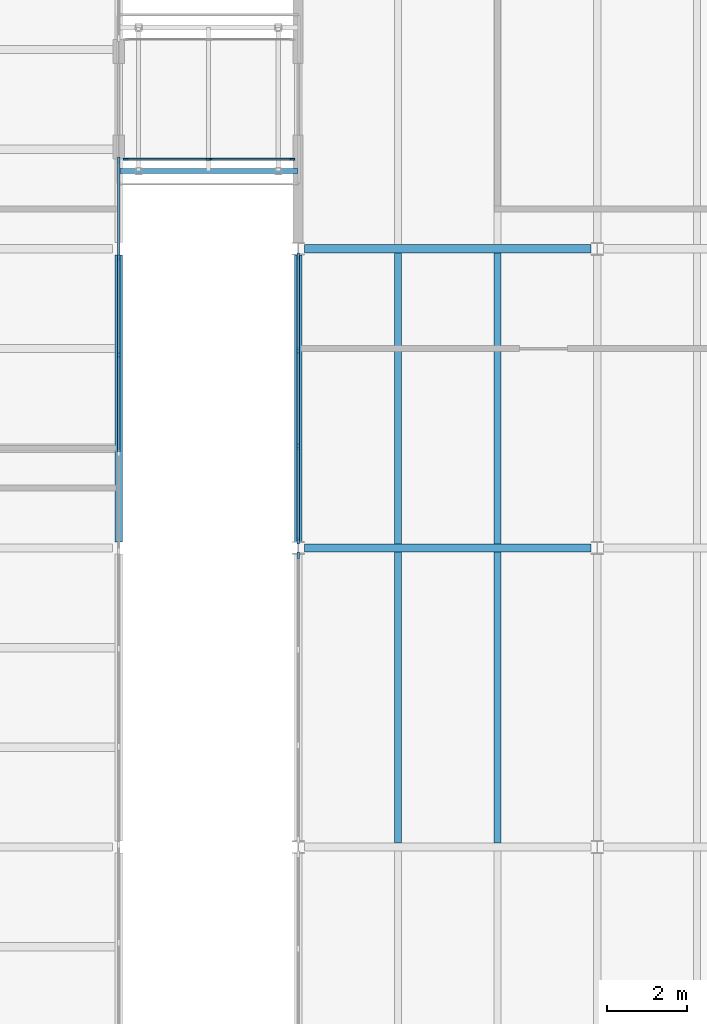
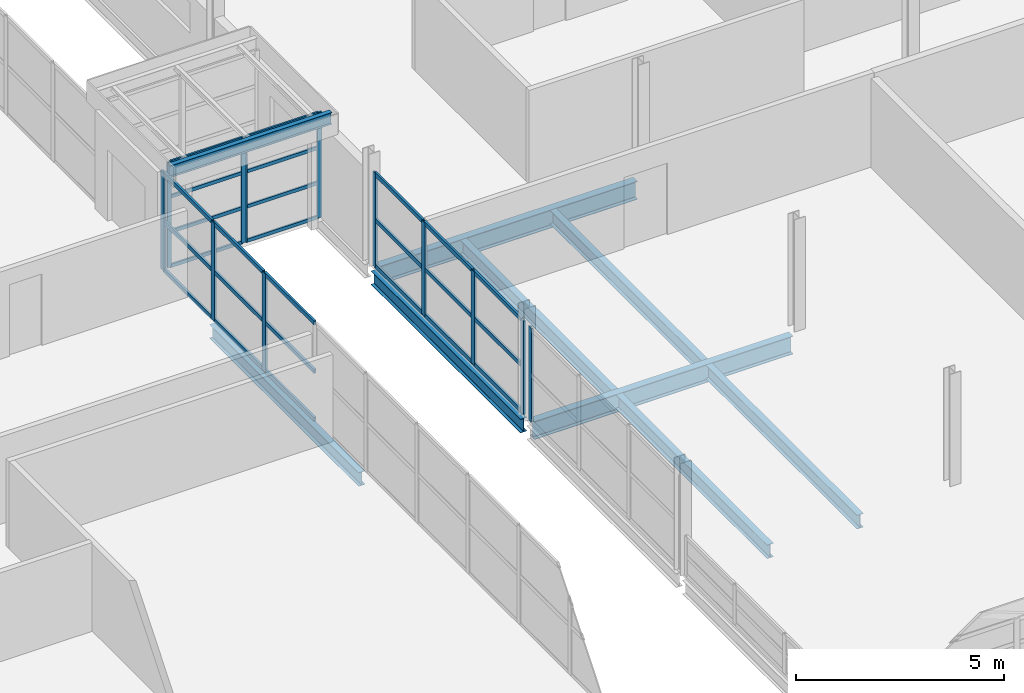
# One storey, part 39 of 214: 38 members, 9 beams, 5 elements without a shape of their own.
"""IFC4 building model written with IfcOpenShell, lengths in metres."""

from ifc_helpers import new_model, si_unit, direction, frame, origin, origin_2d, place, context, subcontext, project, spatial, rectangle, i_section, extrude, material, material_profile, profile_set, type_object, element, aggregate, save


model = new_model("IFC4")

# Units and contexts
model_context = context("Model", 3, precision=1e-05, world=origin(), true_north=direction((0.0, 1.0)))
body_context = subcontext(model_context, "Body", "Model", "MODEL_VIEW")
ifc_project = project(units=[si_unit("LENGTHUNIT", "METRE"), si_unit("AREAUNIT", "SQUARE_METRE"), si_unit("VOLUMEUNIT", "CUBIC_METRE"), si_unit("PLANEANGLEUNIT", "RADIAN"), si_unit("MASSUNIT", "GRAM", prefix="KILO")], contexts=[model_context])

# Site, building, storey
site_placement = place(None, origin())
site = spatial("IfcSite", under=ifc_project, at=site_placement, CompositionType="ELEMENT")
building_placement = place(site_placement, origin())
building = spatial("IfcBuilding", under=site, at=building_placement, Name="Parallax Yard Mobility Hub", CompositionType="ELEMENT")
storey_placement = place(building_placement, frame((0.0, 0.0, 3.300048828125)))
storey = spatial("IfcBuildingStorey", under=building, at=storey_placement, Name="L01", CompositionType="ELEMENT", Elevation=3.300048828125)

# Beam
ifc_material_1 = material(Name="Steel ASTM A992", Category="steel")
ifc_material_profile_1 = material_profile(ifc_material_1, i_section(OverallWidth=0.126953125, OverallDepth=0.34912109375, WebThickness=0.005859375, FlangeThickness=0.008544921875, at=origin_2d()), Name="W360x33")
ifc_profile_set_1 = profile_set([ifc_material_profile_1], Name="Steel ASTM A992")
beam_type_1 = type_object("IfcBeamType", Name="Bridge roof beam W360x33", PredefinedType="BEAM", material=ifc_profile_set_1)
beam_1_placement = place(storey_placement, frame((93.0, 31.949951171875, 3.074462890625), z_axis=(1.0, 0.0, 0.0), x_axis=(0.0, 1.0, 0.0)))
element("IfcBeam", 1, at=beam_1_placement, inside=storey, type_object=beam_type_1, Name="Bridge BR1 level L01 roof beam at y 31.95", PredefinedType="BEAM", context=body_context, shape_type="SweptSolid", body=[
    extrude(i_section(OverallWidth=0.126953125, OverallDepth=0.34912109375, WebThickness=0.005859375, FlangeThickness=0.008544921875, at=origin_2d()), origin(), (0.0, 0.0, 1.0), 4.5),
])

# Curtain wall, members
ifc_material_2 = material(Name="Thermally broken aluminium curtain wall system", Category="aluminium")
curtain_wall_type_1 = type_object("IfcCurtainWallType", Name="Bridge curtain wall run 50 x 120 frame", PredefinedType="NOTDEFINED", material=ifc_material_2)
curtain_wall_1_placement = place(storey_placement, origin())
curtain_wall_1 = element("IfcCurtainWall", 2, at=curtain_wall_1_placement, inside=storey, type_object=curtain_wall_type_1, Name="Curtain wall run bridge BR1 south side level L01", PredefinedType="NOTDEFINED")
ifc_material_3 = material(Name="Extruded aluminium", Category="aluminium")
ifc_material_profile_2 = material_profile(ifc_material_3, rectangle(XDim=0.050048828125, YDim=0.1201171875, at=origin_2d()), Name="Mullion 50 x 120")
ifc_profile_set_2 = profile_set([ifc_material_profile_2], Name="Extruded aluminium")
member_type_1 = type_object("IfcMemberType", Name="Mullion 50 x 120", PredefinedType="MULLION", material=ifc_profile_set_2)
member_1_placement = place(storey_placement, frame((93.175048828125, 32.25, 0.0), z_axis=(0.0, 0.0, 1.0), x_axis=(0.0, 1.0, 0.0)))
member_1 = element("IfcMember", 3, at=member_1_placement, type_object=member_type_1, Name="CW2 mullion 1", PredefinedType="MULLION", context=body_context, shape_type="SweptSolid", body=[
    extrude(rectangle(XDim=0.050048828125, YDim=0.1201171875, at=origin_2d()), origin(), (0.0, 0.0, 1.0), 3.095947265625),
])
member_2_placement = place(storey_placement, frame((95.237548828125, 32.25, 0.0), z_axis=(0.0, 0.0, 1.0), x_axis=(0.0, 1.0, 0.0)))
member_2 = element("IfcMember", 4, at=member_2_placement, type_object=member_type_1, Name="CW2 mullion 2", PredefinedType="MULLION", context=body_context, shape_type="SweptSolid", body=[
    extrude(rectangle(XDim=0.050048828125, YDim=0.1201171875, at=origin_2d()), origin(), (0.0, 0.0, 1.0), 3.095947265625),
])

curtain_wall_2_placement = place(storey_placement, origin())
curtain_wall_2 = element("IfcCurtainWall", 5, at=curtain_wall_2_placement, inside=storey, type_object=curtain_wall_type_1, Name="Curtain wall run bridge BR1 south side level L01", PredefinedType="NOTDEFINED")
member_3_placement = place(storey_placement, frame((95.28759765625, 32.25, 0.0), z_axis=(0.0, 0.0, 1.0), x_axis=(0.0, 1.0, 0.0)))
member_3 = element("IfcMember", 6, at=member_3_placement, type_object=member_type_1, Name="CW2 mullion 1", PredefinedType="MULLION", context=body_context, shape_type="SweptSolid", body=[
    extrude(rectangle(XDim=0.050048828125, YDim=0.1201171875, at=origin_2d()), origin(), (0.0, 0.0, 1.0), 3.095947265625),
])
member_4_placement = place(storey_placement, frame((97.35009765625, 32.25, 0.0), z_axis=(0.0, 0.0, 1.0), x_axis=(0.0, 1.0, 0.0)))
member_4 = element("IfcMember", 7, at=member_4_placement, type_object=member_type_1, Name="CW2 mullion 2", PredefinedType="MULLION", context=body_context, shape_type="SweptSolid", body=[
    extrude(rectangle(XDim=0.050048828125, YDim=0.1201171875, at=origin_2d()), origin(), (0.0, 0.0, 1.0), 3.095947265625),
])

curtain_wall_type_2 = type_object("IfcCurtainWallType", Name="Curtain wall run 60 x 160 frame", PredefinedType="NOTDEFINED", material=ifc_material_2)
curtain_wall_3_placement = place(storey_placement, origin())
curtain_wall_3 = element("IfcCurtainWall", 8, at=curtain_wall_3_placement, inside=storey, type_object=curtain_wall_type_2, Name="Curtain wall run Bus and taxi deck east end bay 1 level L01", PredefinedType="NOTDEFINED")
ifc_material_profile_3 = material_profile(ifc_material_3, rectangle(XDim=0.06005859375, YDim=0.159912109375, at=origin_2d()), Name="Mullion 60 x 160")
ifc_profile_set_3 = profile_set([ifc_material_profile_3], Name="Extruded aluminium")
member_type_2 = type_object("IfcMemberType", Name="Mullion 60 x 160", PredefinedType="MULLION", material=ifc_profile_set_3)
member_5_placement = place(storey_placement, frame((93.0, 27.33740234375, 0.0), z_axis=(0.0, 0.0, 1.0), x_axis=(-1.0, 0.0, 0.0)))
member_5 = element("IfcMember", 9, at=member_5_placement, type_object=member_type_2, Name="CW1 mullion 9", PredefinedType="MULLION", context=body_context, shape_type="SweptSolid", body=[
    extrude(rectangle(XDim=0.06005859375, YDim=0.159912109375, at=origin_2d()), origin(), (0.0, 0.0, 1.0), 2.89404296875),
])
member_6_placement = place(storey_placement, frame((93.0, 29.793701171875, 0.0), z_axis=(0.0, 0.0, 1.0), x_axis=(-1.0, 0.0, 0.0)))
member_6 = element("IfcMember", 10, at=member_6_placement, type_object=member_type_2, Name="CW1 mullion 10", PredefinedType="MULLION", context=body_context, shape_type="SweptSolid", body=[
    extrude(rectangle(XDim=0.06005859375, YDim=0.159912109375, at=origin_2d()), origin(), (0.0, 0.0, 1.0), 2.89404296875),
])
member_7_placement = place(storey_placement, frame((93.0, 32.219970703125, 0.0), z_axis=(0.0, 0.0, 1.0), x_axis=(-1.0, 0.0, 0.0)))
member_7 = element("IfcMember", 11, at=member_7_placement, type_object=member_type_2, Name="CW1 mullion 11", PredefinedType="MULLION", context=body_context, shape_type="SweptSolid", body=[
    extrude(rectangle(XDim=0.06005859375, YDim=0.159912109375, at=origin_2d()), origin(), (0.0, 0.0, 1.0), 2.89404296875),
])

# Curtain wall, member
curtain_wall_4_placement = place(storey_placement, origin())
curtain_wall_4 = element("IfcCurtainWall", 12, at=curtain_wall_4_placement, inside=storey, type_object=curtain_wall_type_2, Name="Curtain wall run Mobility service centre and workshops west bay 2 level L01", PredefinedType="NOTDEFINED")
member_8_placement = place(storey_placement, frame((97.5, 22.31640625, 0.0), z_axis=(0.0, 0.0, 1.0), x_axis=(-1.0, 0.0, 0.0)))
member_8 = element("IfcMember", 13, at=member_8_placement, type_object=member_type_2, Name="CW1 mullion 4", PredefinedType="MULLION", context=body_context, shape_type="SweptSolid", body=[
    extrude(rectangle(XDim=0.06005859375, YDim=0.159912109375, at=origin_2d()), origin(), (0.0, 0.0, 1.0), 2.7509765625),
])
aggregate(curtain_wall_4, [member_8])

# Curtain wall, members
curtain_wall_5_placement = place(storey_placement, origin())
curtain_wall_5 = element("IfcCurtainWall", 14, at=curtain_wall_5_placement, inside=storey, type_object=curtain_wall_type_2, Name="Curtain wall run Mobility service centre and workshops west bay 3 level L01", PredefinedType="NOTDEFINED")
member_9_placement = place(storey_placement, frame((97.5, 22.68359375, 0.0), z_axis=(0.0, 0.0, 1.0), x_axis=(-1.0, 0.0, 0.0)))
member_9 = element("IfcMember", 15, at=member_9_placement, type_object=member_type_2, Name="CW1 mullion 1", PredefinedType="MULLION", context=body_context, shape_type="SweptSolid", body=[
    extrude(rectangle(XDim=0.06005859375, YDim=0.159912109375, at=origin_2d()), origin(), (0.0, 0.0, 1.0), 2.7509765625),
])
member_10_placement = place(storey_placement, frame((97.5, 25.05126953125, 0.0), z_axis=(0.0, 0.0, 1.0), x_axis=(-1.0, 0.0, 0.0)))
member_10 = element("IfcMember", 16, at=member_10_placement, type_object=member_type_2, Name="CW1 mullion 2", PredefinedType="MULLION", context=body_context, shape_type="SweptSolid", body=[
    extrude(rectangle(XDim=0.06005859375, YDim=0.159912109375, at=origin_2d()), origin(), (0.0, 0.0, 1.0), 2.7509765625),
])
member_11_placement = place(storey_placement, frame((97.5, 27.44873046875, 0.0), z_axis=(0.0, 0.0, 1.0), x_axis=(-1.0, 0.0, 0.0)))
member_11 = element("IfcMember", 17, at=member_11_placement, type_object=member_type_2, Name="CW1 mullion 3", PredefinedType="MULLION", context=body_context, shape_type="SweptSolid", body=[
    extrude(rectangle(XDim=0.06005859375, YDim=0.159912109375, at=origin_2d()), origin(), (0.0, 0.0, 1.0), 2.7509765625),
])
member_12_placement = place(storey_placement, frame((97.5, 29.81640625, 0.0), z_axis=(0.0, 0.0, 1.0), x_axis=(-1.0, 0.0, 0.0)))
member_12 = element("IfcMember", 18, at=member_12_placement, type_object=member_type_2, Name="CW1 mullion 4", PredefinedType="MULLION", context=body_context, shape_type="SweptSolid", body=[
    extrude(rectangle(XDim=0.06005859375, YDim=0.159912109375, at=origin_2d()), origin(), (0.0, 0.0, 1.0), 2.7509765625),
])

# Member
ifc_material_profile_4 = material_profile(ifc_material_3, rectangle(XDim=0.050048828125, YDim=0.10009765625, at=origin_2d()), Name="Transom 50 x 100")
ifc_profile_set_4 = profile_set([ifc_material_profile_4], Name="Extruded aluminium")
member_type_3 = type_object("IfcMemberType", Name="Transom 50 x 100", PredefinedType="USERDEFINED", material=ifc_profile_set_4)
member_13_placement = place(storey_placement, frame((93.199951171875, 32.25, 0.02490234375), z_axis=(1.0, 0.0, 0.0), x_axis=(0.0, 1.0, 0.0)))
member_13 = element("IfcMember", 19, at=member_13_placement, type_object=member_type_3, Name="CW2 transom 1.1", ObjectType="TRANSOM", PredefinedType="USERDEFINED", context=body_context, shape_type="SweptSolid", body=[
    extrude(rectangle(XDim=0.050048828125, YDim=0.10009765625, at=origin_2d()), origin(), (0.0, 0.0, 1.0), 2.012451171875),
])

member_14_placement = place(storey_placement, frame((93.199951171875, 32.25, 1.031982421875), z_axis=(1.0, 0.0, 0.0), x_axis=(0.0, 1.0, 0.0)))
member_14 = element("IfcMember", 20, at=member_14_placement, type_object=member_type_3, Name="CW2 transom 1.2", ObjectType="TRANSOM", PredefinedType="USERDEFINED", context=body_context, shape_type="SweptSolid", body=[
    extrude(rectangle(XDim=0.050048828125, YDim=0.10009765625, at=origin_2d()), origin(), (0.0, 0.0, 1.0), 2.012451171875),
])

member_15_placement = place(storey_placement, frame((93.199951171875, 32.25, 2.06396484375), z_axis=(1.0, 0.0, 0.0), x_axis=(0.0, 1.0, 0.0)))
member_15 = element("IfcMember", 21, at=member_15_placement, type_object=member_type_3, Name="CW2 transom 1.3", ObjectType="TRANSOM", PredefinedType="USERDEFINED", context=body_context, shape_type="SweptSolid", body=[
    extrude(rectangle(XDim=0.050048828125, YDim=0.10009765625, at=origin_2d()), origin(), (0.0, 0.0, 1.0), 2.012451171875),
])

member_16_placement = place(storey_placement, frame((93.199951171875, 32.25, 3.071044921875), z_axis=(1.0, 0.0, 0.0), x_axis=(0.0, 1.0, 0.0)))
member_16 = element("IfcMember", 22, at=member_16_placement, type_object=member_type_3, Name="CW2 transom 1.4", ObjectType="TRANSOM", PredefinedType="USERDEFINED", context=body_context, shape_type="SweptSolid", body=[
    extrude(rectangle(XDim=0.050048828125, YDim=0.10009765625, at=origin_2d()), origin(), (0.0, 0.0, 1.0), 2.012451171875),
])

aggregate(curtain_wall_1, [member_1, member_2, member_13, member_14, member_15, member_16])

member_17_placement = place(storey_placement, frame((95.3125, 32.25, 0.02490234375), z_axis=(1.0, 0.0, 0.0), x_axis=(0.0, 1.0, 0.0)))
member_17 = element("IfcMember", 23, at=member_17_placement, type_object=member_type_3, Name="CW2 transom 1.1", ObjectType="TRANSOM", PredefinedType="USERDEFINED", context=body_context, shape_type="SweptSolid", body=[
    extrude(rectangle(XDim=0.050048828125, YDim=0.10009765625, at=origin_2d()), origin(), (0.0, 0.0, 1.0), 2.012451171875),
])

member_18_placement = place(storey_placement, frame((95.3125, 32.25, 1.031982421875), z_axis=(1.0, 0.0, 0.0), x_axis=(0.0, 1.0, 0.0)))
member_18 = element("IfcMember", 24, at=member_18_placement, type_object=member_type_3, Name="CW2 transom 1.2", ObjectType="TRANSOM", PredefinedType="USERDEFINED", context=body_context, shape_type="SweptSolid", body=[
    extrude(rectangle(XDim=0.050048828125, YDim=0.10009765625, at=origin_2d()), origin(), (0.0, 0.0, 1.0), 2.012451171875),
])

member_19_placement = place(storey_placement, frame((95.3125, 32.25, 2.06396484375), z_axis=(1.0, 0.0, 0.0), x_axis=(0.0, 1.0, 0.0)))
member_19 = element("IfcMember", 25, at=member_19_placement, type_object=member_type_3, Name="CW2 transom 1.3", ObjectType="TRANSOM", PredefinedType="USERDEFINED", context=body_context, shape_type="SweptSolid", body=[
    extrude(rectangle(XDim=0.050048828125, YDim=0.10009765625, at=origin_2d()), origin(), (0.0, 0.0, 1.0), 2.012451171875),
])

member_20_placement = place(storey_placement, frame((95.3125, 32.25, 3.071044921875), z_axis=(1.0, 0.0, 0.0), x_axis=(0.0, 1.0, 0.0)))
member_20 = element("IfcMember", 26, at=member_20_placement, type_object=member_type_3, Name="CW2 transom 1.4", ObjectType="TRANSOM", PredefinedType="USERDEFINED", context=body_context, shape_type="SweptSolid", body=[
    extrude(rectangle(XDim=0.050048828125, YDim=0.10009765625, at=origin_2d()), origin(), (0.0, 0.0, 1.0), 2.012451171875),
])

aggregate(curtain_wall_2, [member_3, member_4, member_17, member_18, member_19, member_20])

ifc_material_profile_5 = material_profile(ifc_material_3, rectangle(XDim=0.06005859375, YDim=0.1201171875, at=origin_2d()), Name="Transom 60 x 120")
ifc_profile_set_5 = profile_set([ifc_material_profile_5], Name="Extruded aluminium")
member_type_4 = type_object("IfcMemberType", Name="Transom 60 x 120", PredefinedType="USERDEFINED", material=ifc_profile_set_5)
member_21_placement = place(storey_placement, frame((93.0, 24.910888671875, 0.030029296875), z_axis=(0.0, 1.0, 0.0), x_axis=(-1.0, 0.0, 0.0)))
member_21 = element("IfcMember", 27, at=member_21_placement, type_object=member_type_4, Name="CW1 transom 8.1", ObjectType="TRANSOM", PredefinedType="USERDEFINED", context=body_context, shape_type="SweptSolid", body=[
    extrude(rectangle(XDim=0.06005859375, YDim=0.1201171875, at=origin_2d()), origin(), (0.0, 0.0, 1.0), 2.396484375),
])

member_22_placement = place(storey_placement, frame((93.0, 24.910888671875, 1.447021484375), z_axis=(0.0, 1.0, 0.0), x_axis=(-1.0, 0.0, 0.0)))
member_22 = element("IfcMember", 28, at=member_22_placement, type_object=member_type_4, Name="CW1 transom 8.2", ObjectType="TRANSOM", PredefinedType="USERDEFINED", context=body_context, shape_type="SweptSolid", body=[
    extrude(rectangle(XDim=0.06005859375, YDim=0.1201171875, at=origin_2d()), origin(), (0.0, 0.0, 1.0), 2.396484375),
])

member_23_placement = place(storey_placement, frame((93.0, 24.910888671875, 2.864013671875), z_axis=(0.0, 1.0, 0.0), x_axis=(-1.0, 0.0, 0.0)))
member_23 = element("IfcMember", 29, at=member_23_placement, type_object=member_type_4, Name="CW1 transom 8.3", ObjectType="TRANSOM", PredefinedType="USERDEFINED", context=body_context, shape_type="SweptSolid", body=[
    extrude(rectangle(XDim=0.06005859375, YDim=0.1201171875, at=origin_2d()), origin(), (0.0, 0.0, 1.0), 2.396484375),
])

member_24_placement = place(storey_placement, frame((93.0, 27.3671875, 0.030029296875), z_axis=(0.0, 1.0, 0.0), x_axis=(-1.0, 0.0, 0.0)))
member_24 = element("IfcMember", 30, at=member_24_placement, type_object=member_type_4, Name="CW1 transom 9.1", ObjectType="TRANSOM", PredefinedType="USERDEFINED", context=body_context, shape_type="SweptSolid", body=[
    extrude(rectangle(XDim=0.06005859375, YDim=0.1201171875, at=origin_2d()), origin(), (0.0, 0.0, 1.0), 2.396484375),
])

member_25_placement = place(storey_placement, frame((93.0, 27.3671875, 1.447021484375), z_axis=(0.0, 1.0, 0.0), x_axis=(-1.0, 0.0, 0.0)))
member_25 = element("IfcMember", 31, at=member_25_placement, type_object=member_type_4, Name="CW1 transom 9.2", ObjectType="TRANSOM", PredefinedType="USERDEFINED", context=body_context, shape_type="SweptSolid", body=[
    extrude(rectangle(XDim=0.06005859375, YDim=0.1201171875, at=origin_2d()), origin(), (0.0, 0.0, 1.0), 2.396484375),
])

member_26_placement = place(storey_placement, frame((93.0, 27.3671875, 2.864013671875), z_axis=(0.0, 1.0, 0.0), x_axis=(-1.0, 0.0, 0.0)))
member_26 = element("IfcMember", 32, at=member_26_placement, type_object=member_type_4, Name="CW1 transom 9.3", ObjectType="TRANSOM", PredefinedType="USERDEFINED", context=body_context, shape_type="SweptSolid", body=[
    extrude(rectangle(XDim=0.06005859375, YDim=0.1201171875, at=origin_2d()), origin(), (0.0, 0.0, 1.0), 2.396484375),
])

member_27_placement = place(storey_placement, frame((93.0, 29.82373046875, 0.030029296875), z_axis=(0.0, 1.0, 0.0), x_axis=(-1.0, 0.0, 0.0)))
member_27 = element("IfcMember", 33, at=member_27_placement, type_object=member_type_4, Name="CW1 transom 10.1", ObjectType="TRANSOM", PredefinedType="USERDEFINED", context=body_context, shape_type="SweptSolid", body=[
    extrude(rectangle(XDim=0.06005859375, YDim=0.1201171875, at=origin_2d()), origin(), (0.0, 0.0, 1.0), 2.3662109375),
])

member_28_placement = place(storey_placement, frame((93.0, 29.82373046875, 1.447021484375), z_axis=(0.0, 1.0, 0.0), x_axis=(-1.0, 0.0, 0.0)))
member_28 = element("IfcMember", 34, at=member_28_placement, type_object=member_type_4, Name="CW1 transom 10.2", ObjectType="TRANSOM", PredefinedType="USERDEFINED", context=body_context, shape_type="SweptSolid", body=[
    extrude(rectangle(XDim=0.06005859375, YDim=0.1201171875, at=origin_2d()), origin(), (0.0, 0.0, 1.0), 2.3662109375),
])

member_29_placement = place(storey_placement, frame((93.0, 29.82373046875, 2.864013671875), z_axis=(0.0, 1.0, 0.0), x_axis=(-1.0, 0.0, 0.0)))
member_29 = element("IfcMember", 35, at=member_29_placement, type_object=member_type_4, Name="CW1 transom 10.3", ObjectType="TRANSOM", PredefinedType="USERDEFINED", context=body_context, shape_type="SweptSolid", body=[
    extrude(rectangle(XDim=0.06005859375, YDim=0.1201171875, at=origin_2d()), origin(), (0.0, 0.0, 1.0), 2.3662109375),
])

aggregate(curtain_wall_3, [member_5, member_6, member_7, member_21, member_22, member_23, member_24, member_25, member_26, member_27, member_28, member_29])

member_30_placement = place(storey_placement, frame((97.5, 22.71337890625, 0.030029296875), z_axis=(0.0, 1.0, 0.0), x_axis=(-1.0, 0.0, 0.0)))
member_30 = element("IfcMember", 36, at=member_30_placement, type_object=member_type_4, Name="CW1 transom 1.1", ObjectType="TRANSOM", PredefinedType="USERDEFINED", context=body_context, shape_type="SweptSolid", body=[
    extrude(rectangle(XDim=0.06005859375, YDim=0.1201171875, at=origin_2d()), origin(), (0.0, 0.0, 1.0), 2.307861328125),
])

member_31_placement = place(storey_placement, frame((97.5, 22.71337890625, 1.37548828125), z_axis=(0.0, 1.0, 0.0), x_axis=(-1.0, 0.0, 0.0)))
member_31 = element("IfcMember", 37, at=member_31_placement, type_object=member_type_4, Name="CW1 transom 1.2", ObjectType="TRANSOM", PredefinedType="USERDEFINED", context=body_context, shape_type="SweptSolid", body=[
    extrude(rectangle(XDim=0.06005859375, YDim=0.1201171875, at=origin_2d()), origin(), (0.0, 0.0, 1.0), 2.307861328125),
])

member_32_placement = place(storey_placement, frame((97.5, 22.71337890625, 2.720947265625), z_axis=(0.0, 1.0, 0.0), x_axis=(-1.0, 0.0, 0.0)))
member_32 = element("IfcMember", 38, at=member_32_placement, type_object=member_type_4, Name="CW1 transom 1.3", ObjectType="TRANSOM", PredefinedType="USERDEFINED", context=body_context, shape_type="SweptSolid", body=[
    extrude(rectangle(XDim=0.06005859375, YDim=0.1201171875, at=origin_2d()), origin(), (0.0, 0.0, 1.0), 2.307861328125),
])

member_33_placement = place(storey_placement, frame((97.5, 25.0810546875, 0.030029296875), z_axis=(0.0, 1.0, 0.0), x_axis=(-1.0, 0.0, 0.0)))
member_33 = element("IfcMember", 39, at=member_33_placement, type_object=member_type_4, Name="CW1 transom 2.1", ObjectType="TRANSOM", PredefinedType="USERDEFINED", context=body_context, shape_type="SweptSolid", body=[
    extrude(rectangle(XDim=0.06005859375, YDim=0.1201171875, at=origin_2d()), origin(), (0.0, 0.0, 1.0), 2.337890625),
])

member_34_placement = place(storey_placement, frame((97.5, 25.0810546875, 1.37548828125), z_axis=(0.0, 1.0, 0.0), x_axis=(-1.0, 0.0, 0.0)))
member_34 = element("IfcMember", 40, at=member_34_placement, type_object=member_type_4, Name="CW1 transom 2.2", ObjectType="TRANSOM", PredefinedType="USERDEFINED", context=body_context, shape_type="SweptSolid", body=[
    extrude(rectangle(XDim=0.06005859375, YDim=0.1201171875, at=origin_2d()), origin(), (0.0, 0.0, 1.0), 2.337890625),
])

member_35_placement = place(storey_placement, frame((97.5, 25.0810546875, 2.720947265625), z_axis=(0.0, 1.0, 0.0), x_axis=(-1.0, 0.0, 0.0)))
member_35 = element("IfcMember", 41, at=member_35_placement, type_object=member_type_4, Name="CW1 transom 2.3", ObjectType="TRANSOM", PredefinedType="USERDEFINED", context=body_context, shape_type="SweptSolid", body=[
    extrude(rectangle(XDim=0.06005859375, YDim=0.1201171875, at=origin_2d()), origin(), (0.0, 0.0, 1.0), 2.337890625),
])

member_36_placement = place(storey_placement, frame((97.5, 27.478759765625, 0.030029296875), z_axis=(0.0, 1.0, 0.0), x_axis=(-1.0, 0.0, 0.0)))
member_36 = element("IfcMember", 42, at=member_36_placement, type_object=member_type_4, Name="CW1 transom 3.1", ObjectType="TRANSOM", PredefinedType="USERDEFINED", context=body_context, shape_type="SweptSolid", body=[
    extrude(rectangle(XDim=0.06005859375, YDim=0.1201171875, at=origin_2d()), origin(), (0.0, 0.0, 1.0), 2.307861328125),
])

member_37_placement = place(storey_placement, frame((97.5, 27.478759765625, 1.37548828125), z_axis=(0.0, 1.0, 0.0), x_axis=(-1.0, 0.0, 0.0)))
member_37 = element("IfcMember", 43, at=member_37_placement, type_object=member_type_4, Name="CW1 transom 3.2", ObjectType="TRANSOM", PredefinedType="USERDEFINED", context=body_context, shape_type="SweptSolid", body=[
    extrude(rectangle(XDim=0.06005859375, YDim=0.1201171875, at=origin_2d()), origin(), (0.0, 0.0, 1.0), 2.307861328125),
])

member_38_placement = place(storey_placement, frame((97.5, 27.478759765625, 2.720947265625), z_axis=(0.0, 1.0, 0.0), x_axis=(-1.0, 0.0, 0.0)))
member_38 = element("IfcMember", 44, at=member_38_placement, type_object=member_type_4, Name="CW1 transom 3.3", ObjectType="TRANSOM", PredefinedType="USERDEFINED", context=body_context, shape_type="SweptSolid", body=[
    extrude(rectangle(XDim=0.06005859375, YDim=0.1201171875, at=origin_2d()), origin(), (0.0, 0.0, 1.0), 2.307861328125),
])

aggregate(curtain_wall_5, [member_9, member_10, member_11, member_12, member_30, member_31, member_32, member_33, member_34, member_35, member_36, member_37, member_38])

# Beams
ifc_material_profile_6 = material_profile(ifc_material_1, i_section(OverallWidth=0.177978515625, OverallDepth=0.406005859375, WebThickness=0.0078125, FlangeThickness=0.0126953125, FilletRadius=0.01025390625, at=origin_2d()), Name="W410x60")
ifc_profile_set_6 = profile_set([ifc_material_profile_6], Name="Steel ASTM A992")
beam_type_2 = type_object("IfcBeamType", Name="W410x60 edge beam", PredefinedType="SPANDREL", material=ifc_profile_set_6)
beam_2_placement = place(storey_placement, frame((93.0, 22.653564453125, -0.343017578125), z_axis=(0.0, 1.0, 0.0), x_axis=(-1.0, 0.0, 0.0)))
element("IfcBeam", 45, at=beam_2_placement, inside=storey, type_object=beam_type_2, Name="Edge beam SB1 level L01, fold line F15 of bus and taxi deck, span 3", PredefinedType="SPANDREL", context=body_context, shape_type="SweptSolid", body=[
    extrude(i_section(OverallWidth=0.177978515625, OverallDepth=0.406005859375, WebThickness=0.0078125, FlangeThickness=0.0126953125, FilletRadius=0.01025390625, at=origin_2d()), origin(), (0.0, 0.0, 1.0), 7.19287109375),
])
ifc_material_profile_7 = material_profile(ifc_material_1, i_section(OverallWidth=0.177978515625, OverallDepth=0.406005859375, WebThickness=0.0078125, FlangeThickness=0.0126953125, FilletRadius=0.01025390625, at=origin_2d()), Name="W410x60")
ifc_profile_set_7 = profile_set([ifc_material_profile_7], Name="Steel ASTM A992")
beam_type_3 = type_object("IfcBeamType", Name="W410x60 secondary beam", PredefinedType="JOIST", material=ifc_profile_set_7)
for number, where, z_axis, x_axis, name in (
    (46, (100.0, 15.1044921875, -0.343017578125), (0.0, 1.0, 0.0), (-1.0, 0.0, 0.0), "Secondary beam B1 level L01, 2.5 m east of line 14 of mobility service centre and workshops, span 2"),
    (47, (100.0, 22.6044921875, -0.343017578125), (0.0, 1.0, 0.0), (-1.0, 0.0, 0.0), "Secondary beam B1 level L01, 2.5 m east of line 14 of mobility service centre and workshops, span 3"),
    (48, (102.5, 15.1044921875, -0.343017578125), (0.0, 1.0, 0.0), (-1.0, 0.0, 0.0), "Secondary beam B1 level L01, 5 m east of line 14 of mobility service centre and workshops, span 2"),
    (49, (102.5, 22.6044921875, -0.343017578125), (0.0, 1.0, 0.0), (-1.0, 0.0, 0.0), "Secondary beam B1 level L01, 5 m east of line 14 of mobility service centre and workshops, span 3"),
):
    element("IfcBeam", number, at=place(storey_placement, frame(where, z_axis=z_axis, x_axis=x_axis)), inside=storey, type_object=beam_type_3, Name=name, PredefinedType="JOIST", context=body_context, shape_type="SweptSolid", body=[
        extrude(i_section(OverallWidth=0.177978515625, OverallDepth=0.406005859375, WebThickness=0.0078125, FlangeThickness=0.0126953125, FilletRadius=0.01025390625, at=origin_2d()), origin(), (0.0, 0.0, 1.0), 7.291015625),
    ])
ifc_material_profile_8 = material_profile(ifc_material_1, i_section(OverallWidth=0.178955078125, OverallDepth=0.408935546875, WebThickness=0.0087890625, FlangeThickness=0.014404296875, FilletRadius=0.01025390625, at=origin_2d()), Name="W410x67")
ifc_profile_set_8 = profile_set([ifc_material_profile_8], Name="Steel ASTM A992")
beam_type_4 = type_object("IfcBeamType", Name="W410x67 edge beam", PredefinedType="SPANDREL", material=ifc_profile_set_8)
beam_3_placement = place(storey_placement, frame((97.5, 22.653564453125, -0.344482421875), z_axis=(0.0, 1.0, 0.0), x_axis=(-1.0, 0.0, 0.0)))
element("IfcBeam", 50, at=beam_3_placement, inside=storey, type_object=beam_type_4, Name="Edge beam SB3 level L01, line 14 of mobility service centre and workshops, span 3", PredefinedType="SPANDREL", context=body_context, shape_type="SweptSolid", body=[
    extrude(i_section(OverallWidth=0.178955078125, OverallDepth=0.408935546875, WebThickness=0.0087890625, FlangeThickness=0.014404296875, FilletRadius=0.01025390625, at=origin_2d()), origin(), (0.0, 0.0, 1.0), 7.19287109375),
])
ifc_material_profile_9 = material_profile(ifc_material_1, i_section(OverallWidth=0.208984375, OverallDepth=0.532958984375, WebThickness=0.01025390625, FlangeThickness=0.015625, FilletRadius=0.0126953125, at=origin_2d()), Name="W530x92")
ifc_profile_set_9 = profile_set([ifc_material_profile_9], Name="Steel ASTM A992")
beam_type_5 = type_object("IfcBeamType", Name="W530x92 longitudinal beam", PredefinedType="BEAM", material=ifc_profile_set_9)
for number, where, z_axis, x_axis, name in (
    (51, (97.652587890625, 22.5, -0.406494140625), (1.0, 0.0, 0.0), (0.0, 1.0, 0.0), "Longitudinal beam SB6 level L01, line D of mobility service centre and workshops, span 1"),
    (52, (97.652587890625, 30.0, -0.406494140625), (1.0, 0.0, 0.0), (0.0, 1.0, 0.0), "Longitudinal beam SB6 level L01, line E of mobility service centre and workshops, span 1"),
):
    element("IfcBeam", number, at=place(storey_placement, frame(where, z_axis=z_axis, x_axis=x_axis)), inside=storey, type_object=beam_type_5, Name=name, PredefinedType="BEAM", context=body_context, shape_type="SweptSolid", body=[
        extrude(i_section(OverallWidth=0.208984375, OverallDepth=0.532958984375, WebThickness=0.01025390625, FlangeThickness=0.015625, FilletRadius=0.0126953125, at=origin_2d()), origin(), (0.0, 0.0, 1.0), 7.19384765625),
    ])

save(model, "model.ifc")
